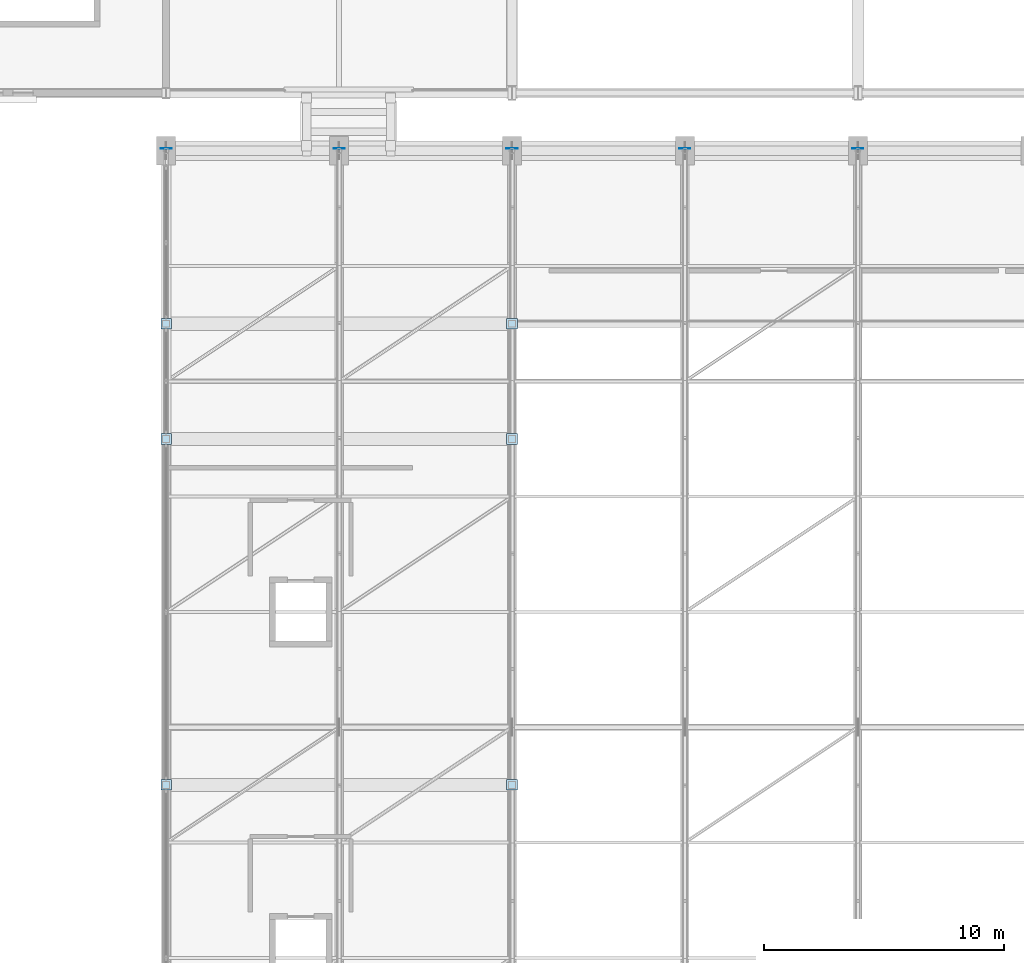
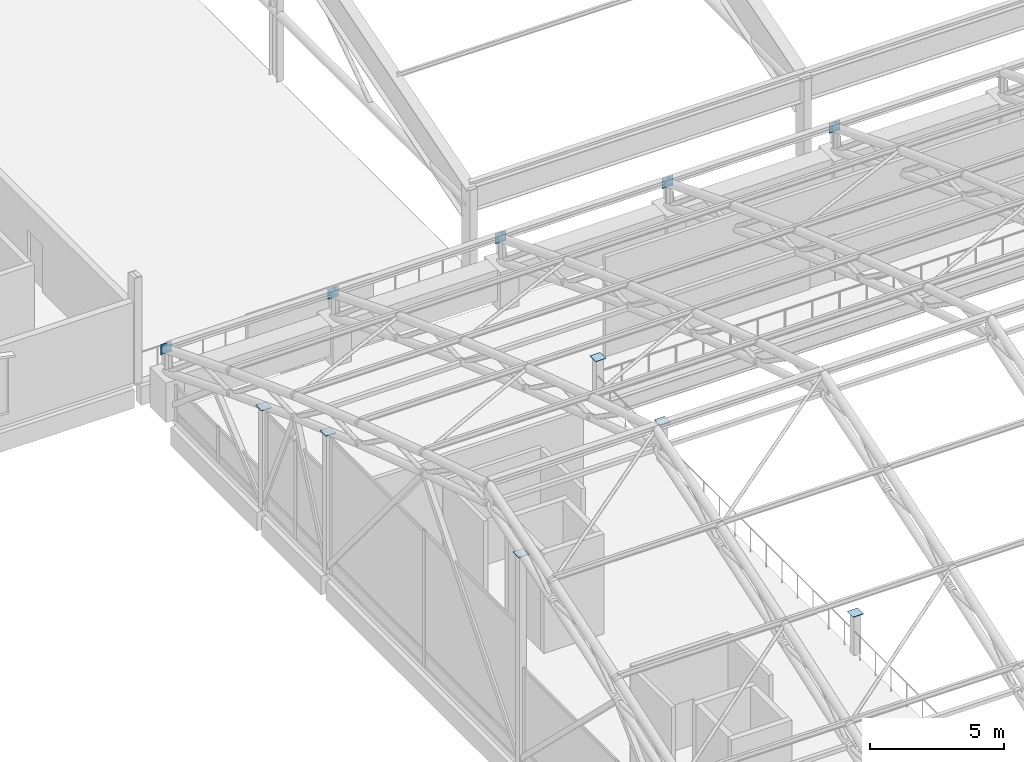
# One storey, part 79 of 116: 11 plates.
"""IFC4 building model written with IfcOpenShell, lengths in metres."""

from ifc_helpers import new_model, si_unit, direction, frame, origin, origin_2d, place, context, subcontext, project, spatial, rectangle, extrude, material, layer, layer_set, type_object, element, save


model = new_model("IFC4")

# Units and contexts
model_context = context("Model", 3, precision=1e-05, world=origin(), true_north=direction((0.0, 1.0)))
body_context = subcontext(model_context, "Body", "Model", "MODEL_VIEW")
ifc_project = project(units=[si_unit("LENGTHUNIT", "METRE"), si_unit("AREAUNIT", "SQUARE_METRE"), si_unit("VOLUMEUNIT", "CUBIC_METRE"), si_unit("PLANEANGLEUNIT", "RADIAN"), si_unit("MASSUNIT", "GRAM", prefix="KILO")], contexts=[model_context])

# Site, building, storey
site_placement = place(None, origin())
site = spatial("IfcSite", under=ifc_project, at=site_placement, CompositionType="ELEMENT")
building_placement = place(site_placement, origin())
building = spatial("IfcBuilding", under=site, at=building_placement, Name="Cendralis Lancet Convention Centre", CompositionType="ELEMENT")
storey_placement = place(building_placement, frame((0.0, 0.0, 15.0)))
storey = spatial("IfcBuildingStorey", under=building, at=storey_placement, Name="L03", CompositionType="ELEMENT", Elevation=15.0)

# Plates
ifc_material = material(Name="Steel S355", Category="steel")
ifc_layer_1 = layer(ifc_material, 0.02001953125, Name="Steel S355")
ifc_layer_set_1 = layer_set([ifc_layer_1], Name="Steel S355")
plate_type_1 = type_object("IfcPlateType", Name="STR-PL-CC20", PredefinedType="USERDEFINED", material=ifc_layer_set_1)
for number, where, z_axis, x_axis, name in (
    (1, (139.199951171875, 64.800048828125, 9.55908203125), (0.0, 0.0, 1.0), (1.0, 0.0, 0.0), "Hollow Column Top Cap Plate L03 #012"),
    (2, (139.199951171875, 79.199951171875, 6.35498046875), (0.0, 0.0, 1.0), (1.0, 0.0, 0.0), "Hollow Column Top Cap Plate L03 #013"),
    (3, (139.199951171875, 84.0, 4.596923828125), (0.0, 0.0, 1.0), (1.0, 0.0, 0.0), "Hollow Column Top Cap Plate L03 #014"),
):
    element("IfcPlate", number, at=place(storey_placement, frame(where, z_axis=z_axis, x_axis=x_axis)), inside=storey, type_object=plate_type_1, Name=name, ObjectType="GUSSET PLATE", PredefinedType="USERDEFINED", context=body_context, shape_type="SweptSolid", body=[
        extrude(rectangle(XDim=0.43994140625, YDim=0.43994140625, at=origin_2d()), origin(), (0.0, 0.0, 1.0), 0.02001953125),
    ])
ifc_layer_2 = layer(ifc_material, 0.02001953125, Name="Steel S355")
ifc_layer_set_2 = layer_set([ifc_layer_2], Name="Steel S355")
plate_type_2 = type_object("IfcPlateType", Name="STR-PL-CC20-INT", PredefinedType="USERDEFINED", material=ifc_layer_set_2)
for number, where, z_axis, x_axis, name in (
    (4, (153.60009765625, 64.800048828125, 1.800048828125), (0.0, 0.0, 1.0), (1.0, 0.0, 0.0), "Hollow Column Top Cap Plate L03 #016"),
    (5, (153.60009765625, 79.199951171875, 1.800048828125), (0.0, 0.0, 1.0), (1.0, 0.0, 0.0), "Hollow Column Top Cap Plate L03 #017"),
    (6, (153.60009765625, 84.0, 1.800048828125), (0.0, 0.0, 1.0), (1.0, 0.0, 0.0), "Hollow Column Top Cap Plate L03 #018"),
):
    element("IfcPlate", number, at=place(storey_placement, frame(where, z_axis=z_axis, x_axis=x_axis)), inside=storey, type_object=plate_type_2, Name=name, ObjectType="GUSSET PLATE", PredefinedType="USERDEFINED", context=body_context, shape_type="SweptSolid", body=[
        extrude(rectangle(XDim=0.43994140625, YDim=0.43994140625, at=origin_2d()), origin(), (0.0, 0.0, 1.0), 0.02001953125),
    ])
ifc_layer_3 = layer(ifc_material, 0.02001953125, Name="Steel S355")
ifc_layer_set_3 = layer_set([ifc_layer_3], Name="Steel S355")
plate_type_3 = type_object("IfcPlateType", Name="STR-PL-EC20", PredefinedType="USERDEFINED", material=ifc_layer_set_3)
for number, where, z_axis, x_axis, name in (
    (7, (139.199951171875, 91.2900390625, 2.6201171875), (0.0, 0.0, 1.0), (1.0, 0.0, 0.0), "Truss End Cap Plate EC-20 AT-V2-01-CAPN"),
    (8, (146.39990234375, 91.2900390625, 2.6201171875), (0.0, 0.0, 1.0), (1.0, 0.0, 0.0), "Truss End Cap Plate EC-20 AT-V2-02-CAPN"),
    (9, (153.60009765625, 91.2900390625, 2.6201171875), (0.0, 0.0, 1.0), (1.0, 0.0, 0.0), "Truss End Cap Plate EC-20 AT-V2-03-CAPN"),
    (10, (160.800048828125, 91.2900390625, 2.6201171875), (0.0, 0.0, 1.0), (1.0, 0.0, 0.0), "Truss End Cap Plate EC-20 AT-V2-04-CAPN"),
    (11, (168.0, 91.2900390625, 2.6201171875), (0.0, 0.0, 1.0), (1.0, 0.0, 0.0), "Truss End Cap Plate EC-20 AT-V2-05-CAPN"),
):
    element("IfcPlate", number, at=place(storey_placement, frame(where, z_axis=z_axis, x_axis=x_axis)), inside=storey, type_object=plate_type_3, Name=name, ObjectType="GUSSET PLATE", PredefinedType="USERDEFINED", context=body_context, shape_type="SweptSolid", body=[
        extrude(rectangle(XDim=0.4599609375, YDim=0.02001953125, at=origin_2d()), origin(), (0.0, 0.0, 1.0), 0.4599609375),
    ])

save(model, "model.ifc")
